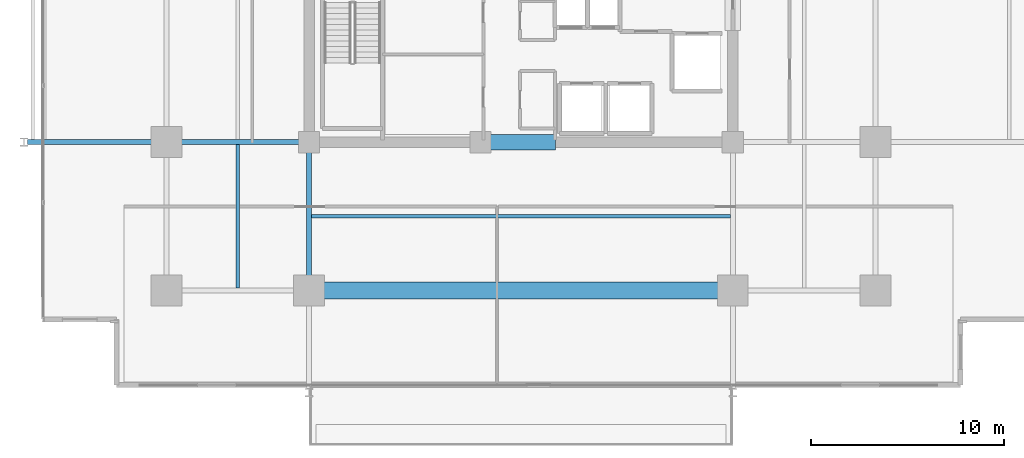
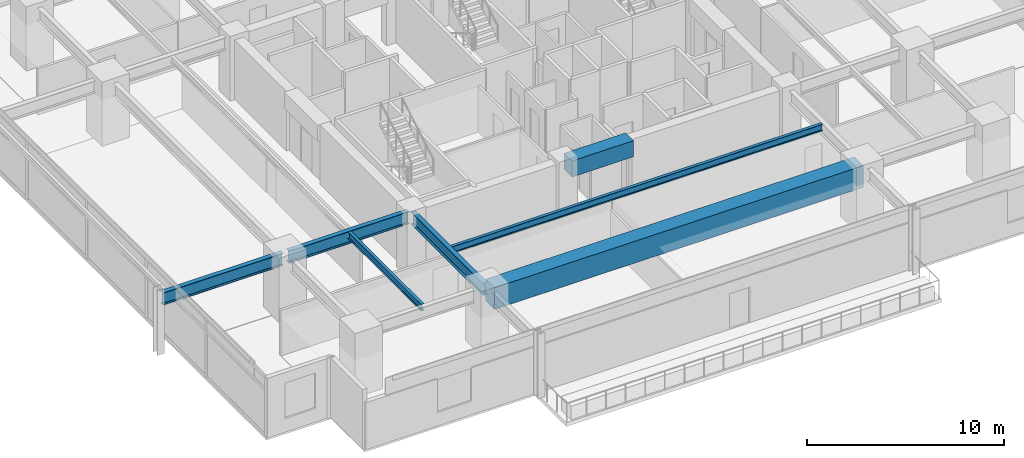
# One storey, part 3 of 22: 7 beams.
"""IFC4 building model written with IfcOpenShell, lengths in metres."""

from ifc_helpers import new_model, si_unit, direction, frame, origin, origin_2d, place, context, subcontext, project, spatial, rectangle, i_section, extrude, material, material_profile, profile_set, type_object, element, save


model = new_model("IFC4")

# Units and contexts
model_context = context("Model", 3, precision=1e-05, world=origin(), true_north=direction((0.0, 1.0)))
body_context = subcontext(model_context, "Body", "Model", "MODEL_VIEW")
ifc_project = project(units=[si_unit("LENGTHUNIT", "METRE"), si_unit("AREAUNIT", "SQUARE_METRE"), si_unit("VOLUMEUNIT", "CUBIC_METRE"), si_unit("PLANEANGLEUNIT", "RADIAN"), si_unit("MASSUNIT", "GRAM", prefix="KILO")], contexts=[model_context])

# Site, building, storey
site_placement = place(None, origin())
site = spatial("IfcSite", under=ifc_project, at=site_placement, CompositionType="ELEMENT")
building_placement = place(site_placement, origin())
building = spatial("IfcBuilding", under=site, at=building_placement, Name="Kovane Verandah Tower", CompositionType="ELEMENT")
storey_placement = place(building_placement, frame((0.0, 0.0, 180.39990234375)))
storey = spatial("IfcBuildingStorey", under=building, at=storey_placement, Name="L42", CompositionType="ELEMENT", Elevation=180.39990234375)

# Beams
ifc_material_1 = material(Name="Concrete C60/75", Category="concrete")
ifc_material_profile_1 = material_profile(ifc_material_1, rectangle(XDim=0.800048828125, YDim=1.0, at=origin_2d()), Name="RCB800x1000")
ifc_profile_set_1 = profile_set([ifc_material_profile_1], Name="Concrete C60/75")
beam_type_1 = type_object("IfcBeamType", Name="BM-LINTEL-800x1000", PredefinedType="LINTEL", material=ifc_profile_set_1)
beam_1_placement = place(storey_placement, frame((38.199951171875, 18.5, 3.2001953125), z_axis=(1.0, 0.0, 0.0), x_axis=(0.0, 1.0, 0.0)))
element("IfcBeam", 1, at=beam_1_placement, inside=storey, type_object=beam_type_1, Name="L42 Core Coupling Lintel CL-S", PredefinedType="LINTEL", context=body_context, shape_type="SweptSolid", body=[
    extrude(rectangle(XDim=0.800048828125, YDim=1.0, at=origin_2d()), origin(), (0.0, 0.0, 1.0), 3.60009765625),
])
ifc_material_2 = material(Name="Concrete C80/95", Category="concrete")
ifc_material_profile_2 = material_profile(ifc_material_2, rectangle(XDim=0.89990234375, YDim=1.35009765625, at=origin_2d()), Name="RCB900x1350")
ifc_profile_set_2 = profile_set([ifc_material_profile_2], Name="Concrete C80/95")
beam_type_2 = type_object("IfcBeamType", Name="BM-TR-900x1350", PredefinedType="BEAM", material=ifc_profile_set_2)
beam_2_placement = place(storey_placement, frame((29.179931640625, 10.800048828125, 3.025146484375), z_axis=(1.0, 0.0, 0.0), x_axis=(0.0, 1.0, 0.0)))
element("IfcBeam", 2, at=beam_2_placement, inside=storey, type_object=beam_type_2, Name="L42 Primary Tower Girder G-RS2", PredefinedType="BEAM", context=body_context, shape_type="SweptSolid", body=[
    extrude(rectangle(XDim=0.89990234375, YDim=1.35009765625, at=origin_2d()), origin(), (0.0, 0.0, 1.0), 21.64013671875),
])
ifc_material_3 = material(Name="Steel S355", Category="steel")
ifc_material_profile_3 = material_profile(ifc_material_3, i_section(OverallWidth=0.26806640625, OverallDepth=0.769775390625, WebThickness=0.015625, FlangeThickness=0.025390625, FilletRadius=0.0166015625, at=origin_2d()), Name="UB762x267x197")
ifc_profile_set_3 = profile_set([ifc_material_profile_3], Name="Steel S355")
beam_type_3 = type_object("IfcBeamType", Name="BM-UB762x197", PredefinedType="BEAM", material=ifc_profile_set_3)
beam_3_placement = place(storey_placement, frame((28.820068359375, 18.5, 3.315185546875), z_axis=(-1.0, 0.0, 0.0), x_axis=(0.0, -1.0, 0.0)))
element("IfcBeam", 3, at=beam_3_placement, inside=storey, type_object=beam_type_3, Name="L42 Primary Tower Girder G-W1", PredefinedType="BEAM", context=body_context, shape_type="SweptSolid", body=[
    extrude(i_section(OverallWidth=0.26806640625, OverallDepth=0.769775390625, WebThickness=0.015625, FlangeThickness=0.025390625, FilletRadius=0.0166015625, at=origin_2d()), origin(), (0.0, 0.0, 1.0), 7.0400390625),
])
beam_4_placement = place(storey_placement, frame((29.0, 18.320068359375, 3.315185546875), z_axis=(0.0, -1.0, 0.0), x_axis=(1.0, 0.0, 0.0)))
element("IfcBeam", 4, at=beam_4_placement, inside=storey, type_object=beam_type_3, Name="L42 Primary Tower Girder G-S1", PredefinedType="BEAM", context=body_context, shape_type="SweptSolid", body=[
    extrude(i_section(OverallWidth=0.26806640625, OverallDepth=0.769775390625, WebThickness=0.015625, FlangeThickness=0.025390625, FilletRadius=0.0166015625, at=origin_2d()), origin(), (0.0, 0.0, 1.0), 7.340087890625),
])
beam_5_placement = place(storey_placement, frame((21.419921875, 18.5, 3.315185546875), z_axis=(-1.0, 0.0, 0.0), x_axis=(0.0, -1.0, 0.0)))
element("IfcBeam", 5, at=beam_5_placement, inside=storey, type_object=beam_type_3, Name="L42 Primary Tower Girder G-VW1", PredefinedType="BEAM", context=body_context, shape_type="SweptSolid", body=[
    extrude(i_section(OverallWidth=0.26806640625, OverallDepth=0.769775390625, WebThickness=0.015625, FlangeThickness=0.025390625, FilletRadius=0.0166015625, at=origin_2d()), origin(), (0.0, 0.0, 1.0), 7.0400390625),
])
ifc_material_profile_4 = material_profile(ifc_material_3, i_section(OverallWidth=0.179443359375, OverallDepth=0.412841796875, WebThickness=0.009521484375, FlangeThickness=0.01611328125, FilletRadius=0.01025390625, at=origin_2d()), Name="UB406x178x74")
ifc_profile_set_4 = profile_set([ifc_material_profile_4], Name="Steel S355")
beam_type_4 = type_object("IfcBeamType", Name="JST-UB406x74", PredefinedType="JOIST", material=ifc_profile_set_4)
beam_6_placement = place(storey_placement, frame((29.132080078125, 14.64990234375, 3.49365234375), z_axis=(1.0, 0.0, 0.0), x_axis=(0.0, 1.0, 0.0)))
element("IfcBeam", 6, at=beam_6_placement, inside=storey, type_object=beam_type_4, Name="L42 Secondary Composite Joist J-S1", PredefinedType="JOIST", context=body_context, shape_type="SweptSolid", body=[
    extrude(i_section(OverallWidth=0.179443359375, OverallDepth=0.412841796875, WebThickness=0.009521484375, FlangeThickness=0.01611328125, FilletRadius=0.01025390625, at=origin_2d()), origin(), (0.0, 0.0, 1.0), 21.73583984375),
])
beam_7_placement = place(storey_placement, frame((25.300048828125, 10.931884765625, 3.49365234375), z_axis=(0.0, 1.0, 0.0), x_axis=(-1.0, 0.0, 0.0)))
element("IfcBeam", 7, at=beam_7_placement, inside=storey, type_object=beam_type_4, Name="L42 Secondary Composite Joist J-SW1", PredefinedType="JOIST", context=body_context, shape_type="SweptSolid", body=[
    extrude(i_section(OverallWidth=0.179443359375, OverallDepth=0.412841796875, WebThickness=0.009521484375, FlangeThickness=0.01611328125, FilletRadius=0.01025390625, at=origin_2d()), origin(), (0.0, 0.0, 1.0), 7.43603515625),
])

save(model, "model.ifc")
